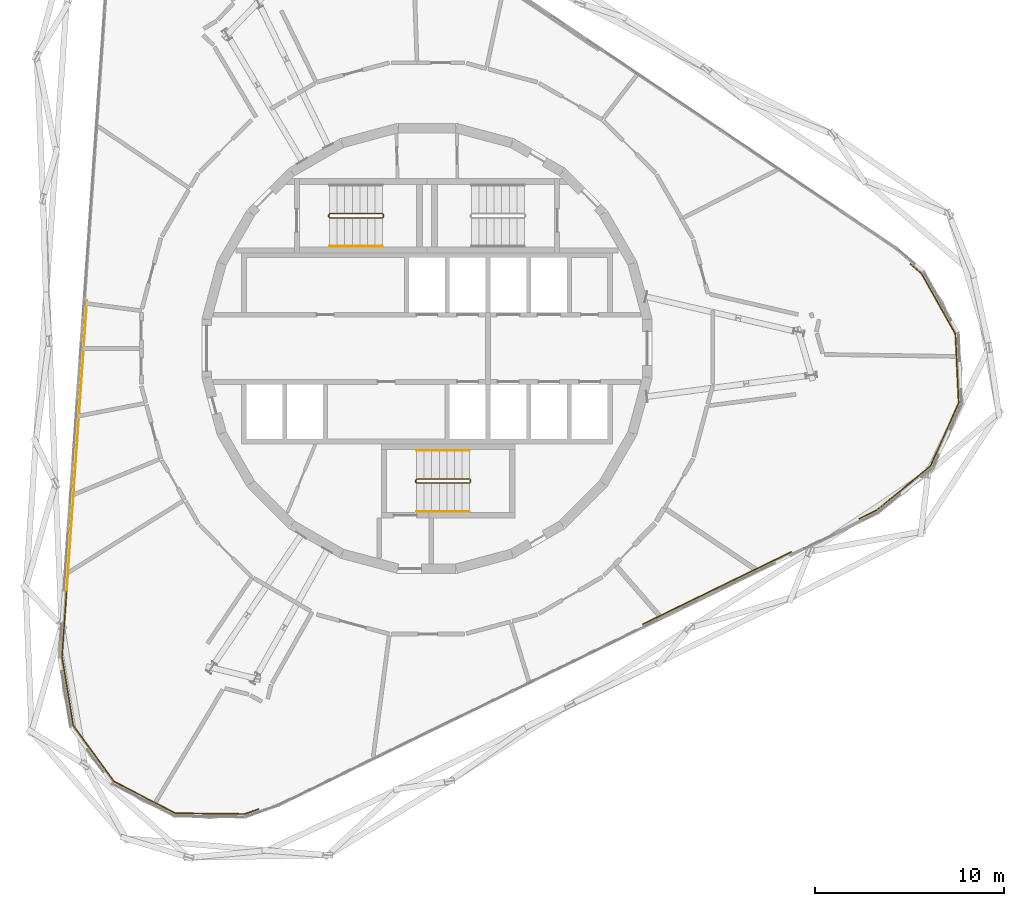
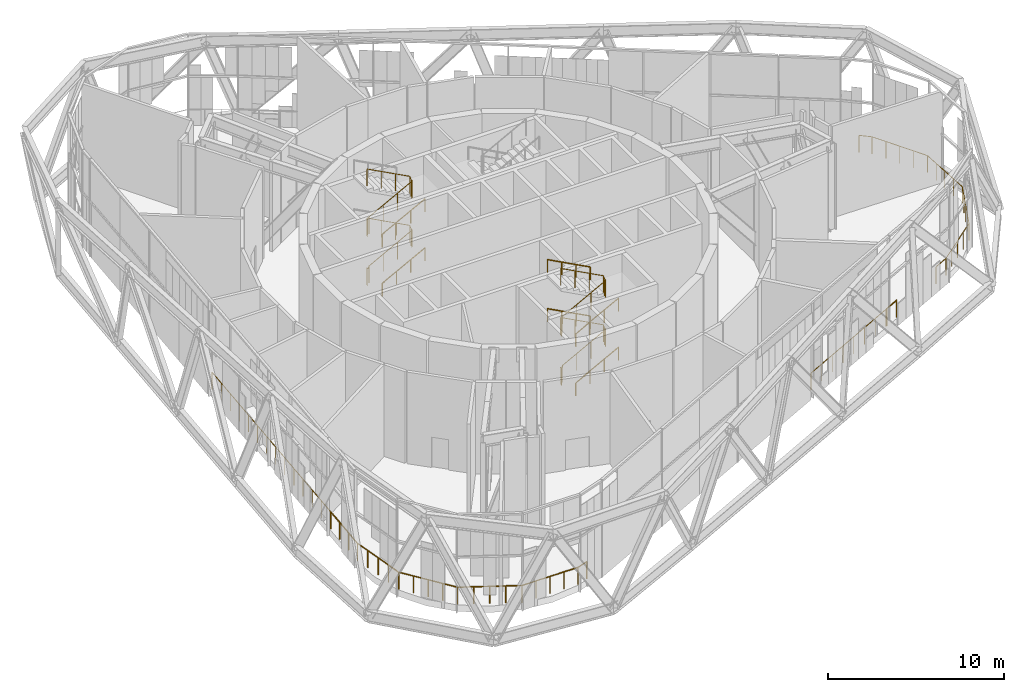
# One storey, part 23 of 24: 13 railings.
"""IFC4 building model written with IfcOpenShell, lengths in metres."""

from ifc_helpers import new_model, si_unit, direction, frame, origin, origin_2d, place, context, subcontext, project, spatial, circle, extrude, material, type_object, element, save


model = new_model("IFC4")

# Units and contexts
model_context = context("Model", 3, precision=1e-05, world=origin(), true_north=direction((0.0, 1.0)))
body_context = subcontext(model_context, "Body", "Model", "MODEL_VIEW")
ifc_project = project(units=[si_unit("LENGTHUNIT", "METRE"), si_unit("AREAUNIT", "SQUARE_METRE"), si_unit("VOLUMEUNIT", "CUBIC_METRE"), si_unit("PLANEANGLEUNIT", "RADIAN"), si_unit("MASSUNIT", "GRAM", prefix="KILO")], contexts=[model_context])

# Site, building, storey
site_placement = place(None, origin())
site = spatial("IfcSite", under=ifc_project, at=site_placement, CompositionType="ELEMENT")
building_placement = place(site_placement, origin())
building = spatial("IfcBuilding", under=site, at=building_placement, Name="Spindle Arch Residences", CompositionType="ELEMENT")
storey_placement = place(building_placement, frame((0.0, 0.0, 219.89990234375)))
storey = spatial("IfcBuildingStorey", under=building, at=storey_placement, Name="L56", CompositionType="ELEMENT", Elevation=219.89990234375)

# Railings
ifc_material_1 = material(Name="Bronze anodised aluminium guard with glass infill", Category="aluminium")
railing_type_1 = type_object("IfcRailingType", Name="Facade guard 1200", PredefinedType="GUARDRAIL", material=ifc_material_1)
railing_1_placement = place(storey_placement, frame((18.3388671875, -11.20556640625, 0.0)))
element("IfcRailing", 1, at=railing_1_placement, inside=storey, type_object=railing_type_1, Name="Facade guard L56 1", PredefinedType="GUARDRAIL", context=body_context, shape_type="SweptSolid", body=[
    extrude(circle(Radius=0.02392578125, at=origin_2d()), frame((0.0, 0.0, 1.17578125), z_axis=(0.898775402244, 0.438409370705, 0.0), x_axis=(-0.438409370705, 0.898775402244, 0.0)), (0.0, 0.0, 1.0), 1.011962890625),
    extrude(circle(Radius=0.02099609375, at=origin_2d()), origin(), (0.0, 0.0, 1.0), 1.15185546875),
    extrude(circle(Radius=0.02099609375, at=origin_2d()), frame((0.909423828125, 0.443603515625, 0.0)), (0.0, 0.0, 1.0), 1.15185546875),
])
railing_2_placement = place(storey_placement, frame((22.851806640625, -9.00439453125, 0.0)))
element("IfcRailing", 2, at=railing_2_placement, inside=storey, type_object=railing_type_1, Name="Facade guard L56 2", PredefinedType="GUARDRAIL", context=body_context, shape_type="SweptSolid", body=[
    extrude(circle(Radius=0.02392578125, at=origin_2d()), frame((0.0, 0.0, 1.17578125), z_axis=(0.898870463879, 0.43821443286, 0.0), x_axis=(-0.43821443286, 0.898870463879, 0.0)), (0.0, 0.0, 1.0), 1.01171875),
    extrude(circle(Radius=0.02392578125, at=origin_2d()), frame((0.909423828125, 0.443359375, 1.17578125), z_axis=(0.773936671867, 0.633263000609, 0.0), x_axis=(-0.633263000609, 0.773936671867, 0.0)), (0.0, 0.0, 1.0), 3.69140625),
    extrude(circle(Radius=0.02392578125, at=origin_2d()), frame((3.766357421875, 2.781005859375, 1.17578125), z_axis=(0.406126074763, 0.91381705576, 0.0), x_axis=(-0.91381705576, 0.406126074763, 0.0)), (0.0, 0.0, 1.0), 3.65625),
    extrude(circle(Radius=0.02392578125, at=origin_2d()), frame((5.251220703125, 6.1220703125, 1.17578125), z_axis=(-0.047209819597, 0.998884994849, 0.0), x_axis=(-0.998884994849, -0.047209819597, 0.0)), (0.0, 0.0, 1.0), 3.65625),
    extrude(circle(Radius=0.02392578125, at=origin_2d()), frame((5.07861328125, 9.774169921875, 1.17578125), z_axis=(-0.490454614415, 0.871466735566, 0.0), x_axis=(-0.871466735566, -0.490454614415, 0.0)), (0.0, 0.0, 1.0), 3.65625),
    extrude(circle(Radius=0.02392578125, at=origin_2d()), frame((3.285400390625, 12.96044921875, 1.17578125), z_axis=(-0.757535581169, 0.65279387502, 0.0), x_axis=(-0.65279387502, -0.757535581169, 0.0)), (0.0, 0.0, 1.0), 0.76220703125),
    extrude(circle(Radius=0.02099609375, at=origin_2d()), origin(), (0.0, 0.0, 1.0), 1.15185546875),
    extrude(circle(Radius=0.02099609375, at=origin_2d()), frame((0.909423828125, 0.443359375, 0.0)), (0.0, 0.0, 1.0), 1.15185546875),
    extrude(circle(Radius=0.02099609375, at=origin_2d()), frame((1.62353515625, 1.02783203125, 0.0)), (0.0, 0.0, 1.0), 1.15185546875),
    extrude(circle(Radius=0.02099609375, at=origin_2d()), frame((2.337890625, 1.6123046875, 0.0)), (0.0, 0.0, 1.0), 1.15185546875),
    extrude(circle(Radius=0.02099609375, at=origin_2d()), frame((3.05224609375, 2.196533203125, 0.0)), (0.0, 0.0, 1.0), 1.15185546875),
    extrude(circle(Radius=0.02099609375, at=origin_2d()), frame((3.766357421875, 2.781005859375, 0.0)), (0.0, 0.0, 1.0), 1.15185546875),
    extrude(circle(Radius=0.02099609375, at=origin_2d()), frame((4.1376953125, 3.6162109375, 0.0)), (0.0, 0.0, 1.0), 1.15185546875),
    extrude(circle(Radius=0.02099609375, at=origin_2d()), frame((4.5087890625, 4.45166015625, 0.0)), (0.0, 0.0, 1.0), 1.15185546875),
    extrude(circle(Radius=0.02099609375, at=origin_2d()), frame((4.8798828125, 5.286865234375, 0.0)), (0.0, 0.0, 1.0), 1.15185546875),
    extrude(circle(Radius=0.02099609375, at=origin_2d()), frame((5.251220703125, 6.1220703125, 0.0)), (0.0, 0.0, 1.0), 1.15185546875),
    extrude(circle(Radius=0.02099609375, at=origin_2d()), frame((5.2080078125, 7.03515625, 0.0)), (0.0, 0.0, 1.0), 1.15185546875),
    extrude(circle(Radius=0.02099609375, at=origin_2d()), frame((5.1650390625, 7.9482421875, 0.0)), (0.0, 0.0, 1.0), 1.15185546875),
    extrude(circle(Radius=0.02099609375, at=origin_2d()), frame((5.121826171875, 8.861083984375, 0.0)), (0.0, 0.0, 1.0), 1.15185546875),
    extrude(circle(Radius=0.02099609375, at=origin_2d()), frame((5.07861328125, 9.774169921875, 0.0)), (0.0, 0.0, 1.0), 1.15185546875),
    extrude(circle(Radius=0.02099609375, at=origin_2d()), frame((4.63037109375, 10.57080078125, 0.0)), (0.0, 0.0, 1.0), 1.15185546875),
    extrude(circle(Radius=0.02099609375, at=origin_2d()), frame((4.18212890625, 11.3671875, 0.0)), (0.0, 0.0, 1.0), 1.15185546875),
    extrude(circle(Radius=0.02099609375, at=origin_2d()), frame((3.733642578125, 12.163818359375, 0.0)), (0.0, 0.0, 1.0), 1.15185546875),
    extrude(circle(Radius=0.02099609375, at=origin_2d()), frame((3.285400390625, 12.96044921875, 0.0)), (0.0, 0.0, 1.0), 1.15185546875),
    extrude(circle(Radius=0.02099609375, at=origin_2d()), frame((2.7080078125, 13.4580078125, 0.0)), (0.0, 0.0, 1.0), 1.15185546875),
])
railing_3_placement = place(storey_placement, frame((-17.979248046875, 2.5126953125, 0.0)))
element("IfcRailing", 3, at=railing_3_placement, inside=storey, type_object=railing_type_1, Name="Facade guard L56 5", PredefinedType="GUARDRAIL", context=body_context, shape_type="SweptSolid", body=[
    extrude(circle(Radius=0.02392578125, at=origin_2d()), frame((0.0, 0.0, 1.17578125), z_axis=(-0.069765250155, -0.997563436515, 0.0), x_axis=(0.997563436515, -0.069765250155, 0.0)), (0.0, 0.0, 1.0), 15.32763671875),
    extrude(circle(Radius=0.02099609375, at=origin_2d()), origin(), (0.0, 0.0, 1.0), 1.15185546875),
    extrude(circle(Radius=0.02099609375, at=origin_2d()), frame((-0.082275390625, -1.17626953125, 0.0)), (0.0, 0.0, 1.0), 1.15185546875),
    extrude(circle(Radius=0.02099609375, at=origin_2d()), frame((-0.16455078125, -2.352294921875, 0.0)), (0.0, 0.0, 1.0), 1.15185546875),
    extrude(circle(Radius=0.02099609375, at=origin_2d()), frame((-0.246826171875, -3.528564453125, 0.0)), (0.0, 0.0, 1.0), 1.15185546875),
    extrude(circle(Radius=0.02099609375, at=origin_2d()), frame((-0.3291015625, -4.70458984375, 0.0)), (0.0, 0.0, 1.0), 1.15185546875),
    extrude(circle(Radius=0.02099609375, at=origin_2d()), frame((-0.411376953125, -5.880859375, 0.0)), (0.0, 0.0, 1.0), 1.15185546875),
    extrude(circle(Radius=0.02099609375, at=origin_2d()), frame((-0.49365234375, -7.05712890625, 0.0)), (0.0, 0.0, 1.0), 1.15185546875),
    extrude(circle(Radius=0.02099609375, at=origin_2d()), frame((-0.57568359375, -8.233154296875, 0.0)), (0.0, 0.0, 1.0), 1.15185546875),
    extrude(circle(Radius=0.02099609375, at=origin_2d()), frame((-0.657958984375, -9.409423828125, 0.0)), (0.0, 0.0, 1.0), 1.15185546875),
    extrude(circle(Radius=0.02099609375, at=origin_2d()), frame((-0.740234375, -10.585693359375, 0.0)), (0.0, 0.0, 1.0), 1.15185546875),
    extrude(circle(Radius=0.02099609375, at=origin_2d()), frame((-0.822509765625, -11.76171875, 0.0)), (0.0, 0.0, 1.0), 1.15185546875),
    extrude(circle(Radius=0.02099609375, at=origin_2d()), frame((-0.90478515625, -12.93798828125, 0.0)), (0.0, 0.0, 1.0), 1.15185546875),
    extrude(circle(Radius=0.02099609375, at=origin_2d()), frame((-0.987060546875, -14.114013671875, 0.0)), (0.0, 0.0, 1.0), 1.15185546875),
    extrude(circle(Radius=0.02099609375, at=origin_2d()), frame((-1.0693359375, -15.290283203125, 0.0)), (0.0, 0.0, 1.0), 1.15185546875),
])
railing_4_placement = place(storey_placement, frame((-19.052734375, -12.83740234375, 0.0)))
element("IfcRailing", 4, at=railing_4_placement, inside=storey, type_object=railing_type_1, Name="Facade guard L56 6", PredefinedType="GUARDRAIL", context=body_context, shape_type="SweptSolid", body=[
    extrude(circle(Radius=0.02392578125, at=origin_2d()), frame((0.0, 0.0, 1.17578125), z_axis=(-0.069756279092, -0.997564063871, 0.0), x_axis=(0.997564063871, -0.069756279092, 0.0)), (0.0, 0.0, 1.0), 3.468505859375),
    extrude(circle(Radius=0.02392578125, at=origin_2d()), frame((-0.241943359375, -3.4599609375, 1.17578125), z_axis=(0.161438209926, -0.986882822009, 0.0), x_axis=(0.986882822009, 0.161438209926, 0.0)), (0.0, 0.0, 1.0), 3.69140625),
    extrude(circle(Radius=0.02392578125, at=origin_2d()), frame((0.35400390625, -7.10302734375, 1.17578125), z_axis=(0.588366234393, -0.808594567275, 0.0), x_axis=(0.808594567275, 0.588366234393, 0.0)), (0.0, 0.0, 1.0), 3.656005859375),
    extrude(circle(Radius=0.02392578125, at=origin_2d()), frame((2.505126953125, -10.059326171875, 1.17578125), z_axis=(0.888638214264, -0.45860890108, 0.0), x_axis=(0.45860890108, 0.888638214264, 0.0)), (0.0, 0.0, 1.0), 3.65625),
    extrude(circle(Radius=0.02392578125, at=origin_2d()), frame((5.754150390625, -11.736083984375, 1.17578125), z_axis=(0.999940036776, -0.010950929284, 0.0), x_axis=(0.010950929284, 0.999940036776, 0.0)), (0.0, 0.0, 1.0), 3.65625),
    extrude(circle(Radius=0.02392578125, at=origin_2d()), frame((9.41015625, -11.776123046875, 1.17578125), z_axis=(0.94413762497, 0.329551430154, 0.0), x_axis=(-0.329551430154, 0.94413762497, 0.0)), (0.0, 0.0, 1.0), 0.76220703125),
    extrude(circle(Radius=0.02099609375, at=origin_2d()), origin(), (0.0, 0.0, 1.0), 1.15185546875),
    extrude(circle(Radius=0.02099609375, at=origin_2d()), frame((-0.08056640625, -1.1533203125, 0.0)), (0.0, 0.0, 1.0), 1.15185546875),
    extrude(circle(Radius=0.02099609375, at=origin_2d()), frame((-0.161376953125, -2.306640625, 0.0)), (0.0, 0.0, 1.0), 1.15185546875),
    extrude(circle(Radius=0.02099609375, at=origin_2d()), frame((-0.241943359375, -3.4599609375, 0.0)), (0.0, 0.0, 1.0), 1.15185546875),
    extrude(circle(Radius=0.02099609375, at=origin_2d()), frame((-0.093017578125, -4.37060546875, 0.0)), (0.0, 0.0, 1.0), 1.15185546875),
    extrude(circle(Radius=0.02099609375, at=origin_2d()), frame((0.05615234375, -5.281494140625, 0.0)), (0.0, 0.0, 1.0), 1.15185546875),
    extrude(circle(Radius=0.02099609375, at=origin_2d()), frame((0.205078125, -6.1923828125, 0.0)), (0.0, 0.0, 1.0), 1.15185546875),
    extrude(circle(Radius=0.02099609375, at=origin_2d()), frame((0.35400390625, -7.10302734375, 0.0)), (0.0, 0.0, 1.0), 1.15185546875),
    extrude(circle(Radius=0.02099609375, at=origin_2d()), frame((0.891845703125, -7.842041015625, 0.0)), (0.0, 0.0, 1.0), 1.15185546875),
    extrude(circle(Radius=0.02099609375, at=origin_2d()), frame((1.4296875, -8.5810546875, 0.0)), (0.0, 0.0, 1.0), 1.15185546875),
    extrude(circle(Radius=0.02099609375, at=origin_2d()), frame((1.96728515625, -9.3203125, 0.0)), (0.0, 0.0, 1.0), 1.15185546875),
    extrude(circle(Radius=0.02099609375, at=origin_2d()), frame((2.505126953125, -10.059326171875, 0.0)), (0.0, 0.0, 1.0), 1.15185546875),
    extrude(circle(Radius=0.02099609375, at=origin_2d()), frame((3.3173828125, -10.478515625, 0.0)), (0.0, 0.0, 1.0), 1.15185546875),
    extrude(circle(Radius=0.02099609375, at=origin_2d()), frame((4.129638671875, -10.897705078125, 0.0)), (0.0, 0.0, 1.0), 1.15185546875),
    extrude(circle(Radius=0.02099609375, at=origin_2d()), frame((4.94189453125, -11.31689453125, 0.0)), (0.0, 0.0, 1.0), 1.15185546875),
    extrude(circle(Radius=0.02099609375, at=origin_2d()), frame((5.754150390625, -11.736083984375, 0.0)), (0.0, 0.0, 1.0), 1.15185546875),
    extrude(circle(Radius=0.02099609375, at=origin_2d()), frame((6.668212890625, -11.74609375, 0.0)), (0.0, 0.0, 1.0), 1.15185546875),
    extrude(circle(Radius=0.02099609375, at=origin_2d()), frame((7.58203125, -11.756103515625, 0.0)), (0.0, 0.0, 1.0), 1.15185546875),
    extrude(circle(Radius=0.02099609375, at=origin_2d()), frame((8.49609375, -11.76611328125, 0.0)), (0.0, 0.0, 1.0), 1.15185546875),
    extrude(circle(Radius=0.02099609375, at=origin_2d()), frame((9.41015625, -11.776123046875, 0.0)), (0.0, 0.0, 1.0), 1.15185546875),
    extrude(circle(Radius=0.02099609375, at=origin_2d()), frame((10.1298828125, -11.52490234375, 0.0)), (0.0, 0.0, 1.0), 1.15185546875),
])
railing_5_placement = place(storey_placement, frame((11.423828125, -14.578369140625, 0.0)))
element("IfcRailing", 5, at=railing_5_placement, inside=storey, type_object=railing_type_1, Name="Facade guard L56 7", PredefinedType="GUARDRAIL", context=body_context, shape_type="SweptSolid", body=[
    extrude(circle(Radius=0.02392578125, at=origin_2d()), frame((0.0, 0.0, 1.17578125), z_axis=(0.898790882602, 0.438377633271, 0.0), x_axis=(-0.438377633271, 0.898790882602, 0.0)), (0.0, 0.0, 1.0), 7.6337890625),
    extrude(circle(Radius=0.02099609375, at=origin_2d()), origin(), (0.0, 0.0, 1.0), 1.15185546875),
    extrude(circle(Radius=0.02099609375, at=origin_2d()), frame((0.980224609375, 0.47802734375, 0.0)), (0.0, 0.0, 1.0), 1.15185546875),
    extrude(circle(Radius=0.02099609375, at=origin_2d()), frame((1.960205078125, 0.9560546875, 0.0)), (0.0, 0.0, 1.0), 1.15185546875),
    extrude(circle(Radius=0.02099609375, at=origin_2d()), frame((2.9404296875, 1.43408203125, 0.0)), (0.0, 0.0, 1.0), 1.15185546875),
    extrude(circle(Radius=0.02099609375, at=origin_2d()), frame((3.920654296875, 1.912353515625, 0.0)), (0.0, 0.0, 1.0), 1.15185546875),
    extrude(circle(Radius=0.02099609375, at=origin_2d()), frame((4.90087890625, 2.390380859375, 0.0)), (0.0, 0.0, 1.0), 1.15185546875),
    extrude(circle(Radius=0.02099609375, at=origin_2d()), frame((5.880859375, 2.868408203125, 0.0)), (0.0, 0.0, 1.0), 1.15185546875),
    extrude(circle(Radius=0.02099609375, at=origin_2d()), frame((6.861083984375, 3.346435546875, 0.0)), (0.0, 0.0, 1.0), 1.15185546875),
])
ifc_material_2 = material(Name="Steel, painted", Category="steel")
railing_type_2 = type_object("IfcRailingType", Name="Stair guard 1100", PredefinedType="GUARDRAIL", material=ifc_material_2)
railing_6_placement = place(storey_placement, frame((-5.14990234375, 7.1201171875, 6.800048828125)))
element("IfcRailing", 6, at=railing_6_placement, inside=storey, type_object=railing_type_2, Name="L56 ST2 stair guard 1", PredefinedType="GUARDRAIL", context=body_context, shape_type="SweptSolid", body=[
    extrude(circle(Radius=0.02392578125, at=origin_2d()), frame((0.0, 0.0, 1.17578125), z_axis=(0.883095778239, 0.0, -0.469192760447), x_axis=(0.0, 1.0, 0.0)), (0.0, 0.0, 1.0), 3.17041015625),
    extrude(circle(Radius=0.02392578125, at=origin_2d()), frame((2.7998046875, 0.0, -0.3115234375), z_axis=(0.223546962728, -0.223546962728, -0.948711500357), x_axis=(0.707106781187, 0.707106781187, 0.0)), (0.0, 0.0, 1.0), 0.223876953125),
    extrude(circle(Radius=0.02392578125, at=origin_2d()), frame((2.849853515625, -0.050048828125, -0.52392578125), z_axis=(0.0, -1.0, 0.0), x_axis=(1.0, 0.0, 0.0)), (0.0, 0.0, 1.0), 0.1201171875),
    extrude(circle(Radius=0.02392578125, at=origin_2d()), frame((2.849853515625, -0.170166015625, -0.52392578125), z_axis=(-0.707106781187, -0.707106781187, 0.0), x_axis=(0.707106781187, -0.707106781187, 0.0)), (0.0, 0.0, 1.0), 0.07080078125),
    extrude(circle(Radius=0.02392578125, at=origin_2d()), frame((2.7998046875, -0.22021484375, -0.52392578125), z_axis=(-0.883095778239, 0.0, -0.469192760447), x_axis=(0.0, -1.0, 0.0)), (0.0, 0.0, 1.0), 3.17041015625),
    extrude(circle(Radius=0.02392578125, at=origin_2d()), frame((0.0, -0.22021484375, -2.01171875), z_axis=(-0.180861968005, 0.614930691216, -0.767560547142), x_axis=(-0.959365501571, -0.282166323992, 0.0)), (0.0, 0.0, 1.0), 0.276611328125),
    extrude(circle(Radius=0.02392578125, at=origin_2d()), frame((-0.050048828125, -0.050048828125, -2.22412109375), z_axis=(0.0, -1.0, 0.0), x_axis=(1.0, 0.0, 0.0)), (0.0, 0.0, 1.0), 0.1201171875),
    extrude(circle(Radius=0.02392578125, at=origin_2d()), frame((-0.050048828125, -0.170166015625, -2.22412109375), z_axis=(0.282166323992, 0.959365501571, 0.0), x_axis=(-0.959365501571, 0.282166323992, 0.0)), (0.0, 0.0, 1.0), 0.177490234375),
    extrude(circle(Radius=0.02392578125, at=origin_2d()), frame((0.0, 0.0, -2.22412109375), z_axis=(0.883095778239, 0.0, -0.469192760447), x_axis=(0.0, 1.0, 0.0)), (0.0, 0.0, 1.0), 3.17041015625),
    extrude(circle(Radius=0.02392578125, at=origin_2d()), frame((2.7998046875, 0.0, -3.71142578125), z_axis=(0.223546962728, -0.223546962728, -0.948711500357), x_axis=(0.707106781187, 0.707106781187, 0.0)), (0.0, 0.0, 1.0), 0.223876953125),
    extrude(circle(Radius=0.02392578125, at=origin_2d()), frame((2.849853515625, -0.050048828125, -3.923828125), z_axis=(0.0, -1.0, 0.0), x_axis=(1.0, 0.0, 0.0)), (0.0, 0.0, 1.0), 0.1201171875),
    extrude(circle(Radius=0.02392578125, at=origin_2d()), frame((2.849853515625, -0.170166015625, -3.923828125), z_axis=(-0.707106781187, -0.707106781187, 0.0), x_axis=(0.707106781187, -0.707106781187, 0.0)), (0.0, 0.0, 1.0), 0.07080078125),
    extrude(circle(Radius=0.02392578125, at=origin_2d()), frame((2.7998046875, -0.22021484375, -3.923828125), z_axis=(-0.883095778239, 0.0, -0.469192760447), x_axis=(0.0, -1.0, 0.0)), (0.0, 0.0, 1.0), 3.17041015625),
    extrude(circle(Radius=0.02392578125, at=origin_2d()), frame((0.0, -0.22021484375, -5.41162109375), z_axis=(-0.223315919267, 0.223315919267, -0.9488203204), x_axis=(-0.707106781187, -0.707106781187, 0.0)), (0.0, 0.0, 1.0), 0.22412109375),
    extrude(circle(Radius=0.02392578125, at=origin_2d()), frame((-0.050048828125, -0.170166015625, -5.6240234375), z_axis=(0.0, 1.0, 0.0), x_axis=(-1.0, 0.0, 0.0)), (0.0, 0.0, 1.0), 0.1201171875),
    extrude(circle(Radius=0.02099609375, at=origin_2d()), origin(), (0.0, 0.0, 1.0), 1.15185546875),
    extrude(circle(Radius=0.02099609375, at=origin_2d()), frame((0.933349609375, 0.0, -0.495849609375)), (0.0, 0.0, 1.0), 1.15185546875),
    extrude(circle(Radius=0.02099609375, at=origin_2d()), frame((1.866455078125, 0.0, -0.99169921875)), (0.0, 0.0, 1.0), 1.15185546875),
    extrude(circle(Radius=0.02099609375, at=origin_2d()), frame((2.7998046875, 0.0, -1.487548828125)), (0.0, 0.0, 1.0), 1.15185546875),
    extrude(circle(Radius=0.02099609375, at=origin_2d()), frame((2.849853515625, -0.050048828125, -1.699951171875)), (0.0, 0.0, 1.0), 1.15185546875),
    extrude(circle(Radius=0.02099609375, at=origin_2d()), frame((2.849853515625, -0.170166015625, -1.699951171875)), (0.0, 0.0, 1.0), 1.15185546875),
    extrude(circle(Radius=0.02099609375, at=origin_2d()), frame((2.7998046875, -0.22021484375, -1.699951171875)), (0.0, 0.0, 1.0), 1.15185546875),
    extrude(circle(Radius=0.02099609375, at=origin_2d()), frame((1.866455078125, -0.22021484375, -2.19580078125)), (0.0, 0.0, 1.0), 1.15185546875),
    extrude(circle(Radius=0.02099609375, at=origin_2d()), frame((0.933349609375, -0.22021484375, -2.691650390625)), (0.0, 0.0, 1.0), 1.15185546875),
    extrude(circle(Radius=0.02099609375, at=origin_2d()), frame((0.0, -0.22021484375, -3.1875)), (0.0, 0.0, 1.0), 1.15185546875),
    extrude(circle(Radius=0.02099609375, at=origin_2d()), frame((-0.050048828125, -0.050048828125, -3.39990234375)), (0.0, 0.0, 1.0), 1.15185546875),
    extrude(circle(Radius=0.02099609375, at=origin_2d()), frame((-0.050048828125, -0.170166015625, -3.39990234375)), (0.0, 0.0, 1.0), 1.15185546875),
    extrude(circle(Radius=0.02099609375, at=origin_2d()), frame((0.0, 0.0, -3.39990234375)), (0.0, 0.0, 1.0), 1.15185546875),
    extrude(circle(Radius=0.02099609375, at=origin_2d()), frame((0.933349609375, 0.0, -3.895751953125)), (0.0, 0.0, 1.0), 1.15185546875),
    extrude(circle(Radius=0.02099609375, at=origin_2d()), frame((1.866455078125, 0.0, -4.3916015625)), (0.0, 0.0, 1.0), 1.15185546875),
    extrude(circle(Radius=0.02099609375, at=origin_2d()), frame((2.7998046875, 0.0, -4.887451171875)), (0.0, 0.0, 1.0), 1.15185546875),
    extrude(circle(Radius=0.02099609375, at=origin_2d()), frame((2.849853515625, -0.050048828125, -5.099853515625)), (0.0, 0.0, 1.0), 1.15185546875),
    extrude(circle(Radius=0.02099609375, at=origin_2d()), frame((2.849853515625, -0.170166015625, -5.099853515625)), (0.0, 0.0, 1.0), 1.15185546875),
    extrude(circle(Radius=0.02099609375, at=origin_2d()), frame((2.7998046875, -0.22021484375, -5.099853515625)), (0.0, 0.0, 1.0), 1.15185546875),
    extrude(circle(Radius=0.02099609375, at=origin_2d()), frame((1.866455078125, -0.22021484375, -5.595703125)), (0.0, 0.0, 1.0), 1.15185546875),
    extrude(circle(Radius=0.02099609375, at=origin_2d()), frame((0.933349609375, -0.22021484375, -6.091552734375)), (0.0, 0.0, 1.0), 1.15185546875),
    extrude(circle(Radius=0.02099609375, at=origin_2d()), frame((0.0, -0.22021484375, -6.58740234375)), (0.0, 0.0, 1.0), 1.15185546875),
    extrude(circle(Radius=0.02099609375, at=origin_2d()), frame((-0.050048828125, -0.170166015625, -6.800048828125)), (0.0, 0.0, 1.0), 1.15185546875),
    extrude(circle(Radius=0.02099609375, at=origin_2d()), frame((-0.050048828125, -0.050048828125, -6.800048828125)), (0.0, 0.0, 1.0), 1.15185546875),
])
railing_7_placement = place(storey_placement, frame((-0.550048828125, -6.89990234375, 6.800048828125)))
element("IfcRailing", 7, at=railing_7_placement, inside=storey, type_object=railing_type_2, Name="L56 ST3 stair guard 1", PredefinedType="GUARDRAIL", context=body_context, shape_type="SweptSolid", body=[
    extrude(circle(Radius=0.02392578125, at=origin_2d()), frame((0.0, 0.0, 1.17578125), z_axis=(0.88311272858, 0.0, -0.469160855806), x_axis=(0.0, 1.0, 0.0)), (0.0, 0.0, 1.0), 3.170654296875),
    extrude(circle(Radius=0.02392578125, at=origin_2d()), frame((2.800048828125, 0.0, -0.3115234375), z_axis=(0.223546962728, -0.223546962728, -0.948711500357), x_axis=(0.707106781187, 0.707106781187, 0.0)), (0.0, 0.0, 1.0), 0.223876953125),
    extrude(circle(Radius=0.02392578125, at=origin_2d()), frame((2.85009765625, -0.050048828125, -0.52392578125), z_axis=(0.0, -1.0, 0.0), x_axis=(1.0, 0.0, 0.0)), (0.0, 0.0, 1.0), 0.1201171875),
    extrude(circle(Radius=0.02392578125, at=origin_2d()), frame((2.85009765625, -0.170166015625, -0.52392578125), z_axis=(-0.707106781187, -0.707106781187, 0.0), x_axis=(0.707106781187, -0.707106781187, 0.0)), (0.0, 0.0, 1.0), 0.07080078125),
    extrude(circle(Radius=0.02392578125, at=origin_2d()), frame((2.800048828125, -0.22021484375, -0.52392578125), z_axis=(-0.88311272858, 0.0, -0.469160855806), x_axis=(0.0, -1.0, 0.0)), (0.0, 0.0, 1.0), 3.170654296875),
    extrude(circle(Radius=0.02392578125, at=origin_2d()), frame((0.0, -0.22021484375, -2.01171875), z_axis=(-0.180861968005, 0.614930691216, -0.767560547142), x_axis=(-0.959365501571, -0.282166323992, 0.0)), (0.0, 0.0, 1.0), 0.276611328125),
    extrude(circle(Radius=0.02392578125, at=origin_2d()), frame((-0.050048828125, -0.050048828125, -2.22412109375), z_axis=(0.0, -1.0, 0.0), x_axis=(1.0, 0.0, 0.0)), (0.0, 0.0, 1.0), 0.1201171875),
    extrude(circle(Radius=0.02392578125, at=origin_2d()), frame((-0.050048828125, -0.170166015625, -2.22412109375), z_axis=(0.282166323992, 0.959365501571, 0.0), x_axis=(-0.959365501571, 0.282166323992, 0.0)), (0.0, 0.0, 1.0), 0.177490234375),
    extrude(circle(Radius=0.02392578125, at=origin_2d()), frame((0.0, 0.0, -2.22412109375), z_axis=(0.88311272858, 0.0, -0.469160855806), x_axis=(0.0, 1.0, 0.0)), (0.0, 0.0, 1.0), 3.170654296875),
    extrude(circle(Radius=0.02392578125, at=origin_2d()), frame((2.800048828125, 0.0, -3.71142578125), z_axis=(0.223546962728, -0.223546962728, -0.948711500357), x_axis=(0.707106781187, 0.707106781187, 0.0)), (0.0, 0.0, 1.0), 0.223876953125),
    extrude(circle(Radius=0.02392578125, at=origin_2d()), frame((2.85009765625, -0.050048828125, -3.923828125), z_axis=(0.0, -1.0, 0.0), x_axis=(1.0, 0.0, 0.0)), (0.0, 0.0, 1.0), 0.1201171875),
    extrude(circle(Radius=0.02392578125, at=origin_2d()), frame((2.85009765625, -0.170166015625, -3.923828125), z_axis=(-0.707106781187, -0.707106781187, 0.0), x_axis=(0.707106781187, -0.707106781187, 0.0)), (0.0, 0.0, 1.0), 0.07080078125),
    extrude(circle(Radius=0.02392578125, at=origin_2d()), frame((2.800048828125, -0.22021484375, -3.923828125), z_axis=(-0.88311272858, 0.0, -0.469160855806), x_axis=(0.0, -1.0, 0.0)), (0.0, 0.0, 1.0), 3.170654296875),
    extrude(circle(Radius=0.02392578125, at=origin_2d()), frame((0.0, -0.22021484375, -5.41162109375), z_axis=(-0.223315919267, 0.223315919267, -0.9488203204), x_axis=(-0.707106781187, -0.707106781187, 0.0)), (0.0, 0.0, 1.0), 0.22412109375),
    extrude(circle(Radius=0.02392578125, at=origin_2d()), frame((-0.050048828125, -0.170166015625, -5.6240234375), z_axis=(0.0, 1.0, 0.0), x_axis=(-1.0, 0.0, 0.0)), (0.0, 0.0, 1.0), 0.1201171875),
    extrude(circle(Radius=0.02099609375, at=origin_2d()), origin(), (0.0, 0.0, 1.0), 1.15185546875),
    extrude(circle(Radius=0.02099609375, at=origin_2d()), frame((0.933349609375, 0.0, -0.495849609375)), (0.0, 0.0, 1.0), 1.15185546875),
    extrude(circle(Radius=0.02099609375, at=origin_2d()), frame((1.86669921875, 0.0, -0.99169921875)), (0.0, 0.0, 1.0), 1.15185546875),
    extrude(circle(Radius=0.02099609375, at=origin_2d()), frame((2.800048828125, 0.0, -1.487548828125)), (0.0, 0.0, 1.0), 1.15185546875),
    extrude(circle(Radius=0.02099609375, at=origin_2d()), frame((2.85009765625, -0.050048828125, -1.699951171875)), (0.0, 0.0, 1.0), 1.15185546875),
    extrude(circle(Radius=0.02099609375, at=origin_2d()), frame((2.85009765625, -0.170166015625, -1.699951171875)), (0.0, 0.0, 1.0), 1.15185546875),
    extrude(circle(Radius=0.02099609375, at=origin_2d()), frame((2.800048828125, -0.22021484375, -1.699951171875)), (0.0, 0.0, 1.0), 1.15185546875),
    extrude(circle(Radius=0.02099609375, at=origin_2d()), frame((1.86669921875, -0.22021484375, -2.19580078125)), (0.0, 0.0, 1.0), 1.15185546875),
    extrude(circle(Radius=0.02099609375, at=origin_2d()), frame((0.933349609375, -0.22021484375, -2.691650390625)), (0.0, 0.0, 1.0), 1.15185546875),
    extrude(circle(Radius=0.02099609375, at=origin_2d()), frame((0.0, -0.22021484375, -3.1875)), (0.0, 0.0, 1.0), 1.15185546875),
    extrude(circle(Radius=0.02099609375, at=origin_2d()), frame((-0.050048828125, -0.050048828125, -3.39990234375)), (0.0, 0.0, 1.0), 1.15185546875),
    extrude(circle(Radius=0.02099609375, at=origin_2d()), frame((-0.050048828125, -0.170166015625, -3.39990234375)), (0.0, 0.0, 1.0), 1.15185546875),
    extrude(circle(Radius=0.02099609375, at=origin_2d()), frame((0.0, 0.0, -3.39990234375)), (0.0, 0.0, 1.0), 1.15185546875),
    extrude(circle(Radius=0.02099609375, at=origin_2d()), frame((0.933349609375, 0.0, -3.895751953125)), (0.0, 0.0, 1.0), 1.15185546875),
    extrude(circle(Radius=0.02099609375, at=origin_2d()), frame((1.86669921875, 0.0, -4.3916015625)), (0.0, 0.0, 1.0), 1.15185546875),
    extrude(circle(Radius=0.02099609375, at=origin_2d()), frame((2.800048828125, 0.0, -4.887451171875)), (0.0, 0.0, 1.0), 1.15185546875),
    extrude(circle(Radius=0.02099609375, at=origin_2d()), frame((2.85009765625, -0.050048828125, -5.099853515625)), (0.0, 0.0, 1.0), 1.15185546875),
    extrude(circle(Radius=0.02099609375, at=origin_2d()), frame((2.85009765625, -0.170166015625, -5.099853515625)), (0.0, 0.0, 1.0), 1.15185546875),
    extrude(circle(Radius=0.02099609375, at=origin_2d()), frame((2.800048828125, -0.22021484375, -5.099853515625)), (0.0, 0.0, 1.0), 1.15185546875),
    extrude(circle(Radius=0.02099609375, at=origin_2d()), frame((1.86669921875, -0.22021484375, -5.595703125)), (0.0, 0.0, 1.0), 1.15185546875),
    extrude(circle(Radius=0.02099609375, at=origin_2d()), frame((0.933349609375, -0.22021484375, -6.091552734375)), (0.0, 0.0, 1.0), 1.15185546875),
    extrude(circle(Radius=0.02099609375, at=origin_2d()), frame((0.0, -0.22021484375, -6.58740234375)), (0.0, 0.0, 1.0), 1.15185546875),
    extrude(circle(Radius=0.02099609375, at=origin_2d()), frame((-0.050048828125, -0.170166015625, -6.800048828125)), (0.0, 0.0, 1.0), 1.15185546875),
    extrude(circle(Radius=0.02099609375, at=origin_2d()), frame((-0.050048828125, -0.050048828125, -6.800048828125)), (0.0, 0.0, 1.0), 1.15185546875),
])
ifc_material_3 = material(Name="Steel, painted", Category="steel")
railing_type_3 = type_object("IfcRailingType", Name="Stair handrail 900", PredefinedType="HANDRAIL", material=ifc_material_3)
for number, where, name in (
    (8, (-5.14990234375, 5.39990234375, 0.212646484375), "L56 ST2 stair handrail 1"),
    (9, (-5.14990234375, 5.39990234375, 3.612548828125), "L56 ST2 stair handrail 3"),
):
    element("IfcRailing", number, at=place(storey_placement, frame(where)), inside=storey, type_object=railing_type_3, Name=name, PredefinedType="HANDRAIL", context=body_context, shape_type="SweptSolid", body=[
        extrude(circle(Radius=0.02392578125, at=origin_2d()), frame((0.0, 0.0, 0.8759765625), z_axis=(0.883095778239, 0.0, 0.469192760447), x_axis=(0.0, 1.0, 0.0)), (0.0, 0.0, 1.0), 3.17041015625),
        extrude(circle(Radius=0.02099609375, at=origin_2d()), origin(), (0.0, 0.0, 1.0), 0.851806640625),
        extrude(circle(Radius=0.02099609375, at=origin_2d()), frame((0.933349609375, 0.0, 0.495849609375)), (0.0, 0.0, 1.0), 0.851806640625),
        extrude(circle(Radius=0.02099609375, at=origin_2d()), frame((1.866455078125, 0.0, 0.99169921875)), (0.0, 0.0, 1.0), 0.851806640625),
        extrude(circle(Radius=0.02099609375, at=origin_2d()), frame((2.7998046875, 0.0, 1.487548828125)), (0.0, 0.0, 1.0), 0.851806640625),
    ])
railing_8_placement = place(storey_placement, frame((-0.550048828125, -8.6201171875, 0.212646484375)))
element("IfcRailing", 10, at=railing_8_placement, inside=storey, type_object=railing_type_3, Name="L56 ST3 stair handrail 1", PredefinedType="HANDRAIL", context=body_context, shape_type="SweptSolid", body=[
    extrude(circle(Radius=0.02392578125, at=origin_2d()), frame((0.0, 0.0, 0.8759765625), z_axis=(0.88311272858, 0.0, 0.469160855806), x_axis=(0.0, 1.0, 0.0)), (0.0, 0.0, 1.0), 3.170654296875),
    extrude(circle(Radius=0.02099609375, at=origin_2d()), origin(), (0.0, 0.0, 1.0), 0.851806640625),
    extrude(circle(Radius=0.02099609375, at=origin_2d()), frame((0.933349609375, 0.0, 0.495849609375)), (0.0, 0.0, 1.0), 0.851806640625),
    extrude(circle(Radius=0.02099609375, at=origin_2d()), frame((1.86669921875, 0.0, 0.99169921875)), (0.0, 0.0, 1.0), 0.851806640625),
    extrude(circle(Radius=0.02099609375, at=origin_2d()), frame((2.800048828125, 0.0, 1.487548828125)), (0.0, 0.0, 1.0), 0.851806640625),
])
railing_9_placement = place(storey_placement, frame((2.25, -5.39990234375, 1.91259765625)))
element("IfcRailing", 11, at=railing_9_placement, inside=storey, type_object=railing_type_3, Name="L56 ST3 stair handrail 2", PredefinedType="HANDRAIL", context=body_context, shape_type="SweptSolid", body=[
    extrude(circle(Radius=0.02392578125, at=origin_2d()), frame((0.0, 0.0, 0.8759765625), z_axis=(-0.88311272858, 0.0, 0.469160855806), x_axis=(0.0, -1.0, 0.0)), (0.0, 0.0, 1.0), 3.170654296875),
    extrude(circle(Radius=0.02099609375, at=origin_2d()), origin(), (0.0, 0.0, 1.0), 0.851806640625),
    extrude(circle(Radius=0.02099609375, at=origin_2d()), frame((-0.933349609375, 0.0, 0.495849609375)), (0.0, 0.0, 1.0), 0.851806640625),
    extrude(circle(Radius=0.02099609375, at=origin_2d()), frame((-1.86669921875, 0.0, 0.99169921875)), (0.0, 0.0, 1.0), 0.851806640625),
    extrude(circle(Radius=0.02099609375, at=origin_2d()), frame((-2.800048828125, 0.0, 1.487548828125)), (0.0, 0.0, 1.0), 0.851806640625),
])
railing_10_placement = place(storey_placement, frame((-0.550048828125, -8.6201171875, 3.612548828125)))
element("IfcRailing", 12, at=railing_10_placement, inside=storey, type_object=railing_type_3, Name="L56 ST3 stair handrail 3", PredefinedType="HANDRAIL", context=body_context, shape_type="SweptSolid", body=[
    extrude(circle(Radius=0.02392578125, at=origin_2d()), frame((0.0, 0.0, 0.8759765625), z_axis=(0.88311272858, 0.0, 0.469160855806), x_axis=(0.0, 1.0, 0.0)), (0.0, 0.0, 1.0), 3.170654296875),
    extrude(circle(Radius=0.02099609375, at=origin_2d()), origin(), (0.0, 0.0, 1.0), 0.851806640625),
    extrude(circle(Radius=0.02099609375, at=origin_2d()), frame((0.933349609375, 0.0, 0.495849609375)), (0.0, 0.0, 1.0), 0.851806640625),
    extrude(circle(Radius=0.02099609375, at=origin_2d()), frame((1.86669921875, 0.0, 0.99169921875)), (0.0, 0.0, 1.0), 0.851806640625),
    extrude(circle(Radius=0.02099609375, at=origin_2d()), frame((2.800048828125, 0.0, 1.487548828125)), (0.0, 0.0, 1.0), 0.851806640625),
])
railing_11_placement = place(storey_placement, frame((2.25, -5.39990234375, 5.3125)))
element("IfcRailing", 13, at=railing_11_placement, inside=storey, type_object=railing_type_3, Name="L56 ST3 stair handrail 4", PredefinedType="HANDRAIL", context=body_context, shape_type="SweptSolid", body=[
    extrude(circle(Radius=0.02392578125, at=origin_2d()), frame((0.0, 0.0, 0.8759765625), z_axis=(-0.88311272858, 0.0, 0.469160855806), x_axis=(0.0, -1.0, 0.0)), (0.0, 0.0, 1.0), 3.170654296875),
    extrude(circle(Radius=0.02099609375, at=origin_2d()), origin(), (0.0, 0.0, 1.0), 0.851806640625),
    extrude(circle(Radius=0.02099609375, at=origin_2d()), frame((-0.933349609375, 0.0, 0.495849609375)), (0.0, 0.0, 1.0), 0.851806640625),
    extrude(circle(Radius=0.02099609375, at=origin_2d()), frame((-1.86669921875, 0.0, 0.99169921875)), (0.0, 0.0, 1.0), 0.851806640625),
    extrude(circle(Radius=0.02099609375, at=origin_2d()), frame((-2.800048828125, 0.0, 1.487548828125)), (0.0, 0.0, 1.0), 0.851806640625),
])

save(model, "model.ifc")
